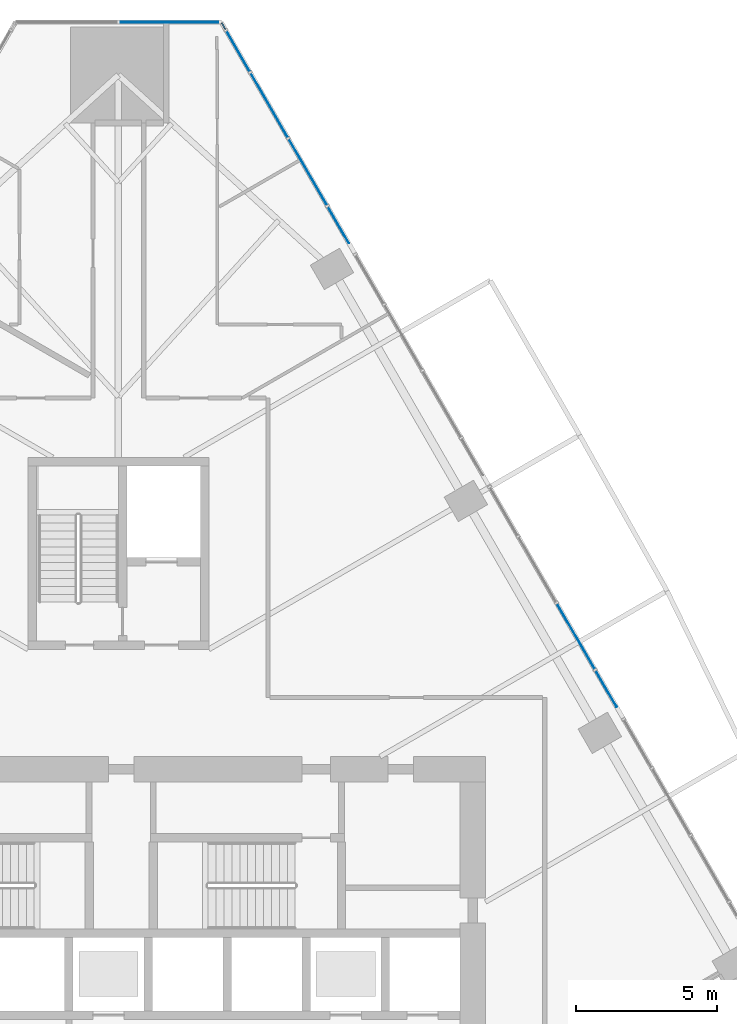
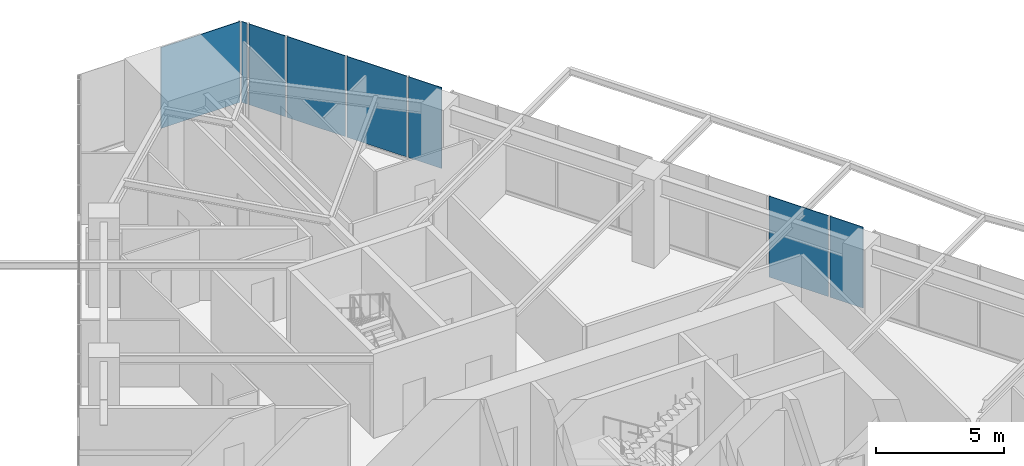
# One storey, part 18 of 26: 8 plates, 2 elements without a shape of their own.
"""IFC4 building model written with IfcOpenShell, lengths in metres."""

from ifc_helpers import new_model, si_unit, direction, frame, origin, place, context, subcontext, project, spatial, polyline, outline, extrude, material, layer, layer_set, type_object, element, aggregate, save


model = new_model("IFC4")

# Units and contexts
model_context = context("Model", 3, precision=1e-05, world=origin(), true_north=direction((0.0, 1.0)))
body_context = subcontext(model_context, "Body", "Model", "MODEL_VIEW")
ifc_project = project(units=[si_unit("LENGTHUNIT", "METRE"), si_unit("AREAUNIT", "SQUARE_METRE"), si_unit("VOLUMEUNIT", "CUBIC_METRE"), si_unit("PLANEANGLEUNIT", "RADIAN"), si_unit("MASSUNIT", "GRAM", prefix="KILO")], contexts=[model_context])

# Site, building, storey
site_placement = place(None, origin())
site = spatial("IfcSite", under=ifc_project, at=site_placement, CompositionType="ELEMENT")
building_placement = place(site_placement, origin())
building = spatial("IfcBuilding", under=site, at=building_placement, Name="Firuza Gate Tower and Library", CompositionType="ELEMENT")
storey_placement = place(building_placement, frame((0.0, 0.0, 77.800048828125)))
storey = spatial("IfcBuildingStorey", under=building, at=storey_placement, Name="L17", CompositionType="ELEMENT", Elevation=77.800048828125)

# Curtain wall, plate
ifc_material_1 = material(Name="Aluminium 6063-T6", Category="aluminium")
ifc_layer_1 = layer(ifc_material_1, 0.14990234375)
ifc_layer_set_1 = layer_set([ifc_layer_1], Name="Corner curtain wall, chamfers")
curtain_wall_type_1 = type_object("IfcCurtainWallType", Name="Corner curtain wall, chamfers", PredefinedType="NOTDEFINED", material=ifc_layer_set_1)
placement = place(storey_placement, origin())
curtain_wall_1 = element("IfcCurtainWall", 1, at=placement, inside=storey, type_object=curtain_wall_type_1, Name="CW4 L17 N corner", PredefinedType="NOTDEFINED")
ifc_material_2 = material(Name="Fritted glass", Category="glass")
ifc_layer_2 = layer(ifc_material_2, 0.030029296875)
ifc_layer_set_2 = layer_set([ifc_layer_2], Name="Fritted glass unit, corners")
plate_type_1 = type_object("IfcPlateType", Name="Fritted glass unit, corners", PredefinedType="CURTAIN_PANEL", material=ifc_layer_set_2)
plate_1_placement = place(storey_placement, frame((78.603271484375, 110.026611328125, 0.14990234375), z_axis=(0.0, 1.0, 0.0), x_axis=(-1.0, 0.0, 0.0)))
plate_1 = element("IfcPlate", 2, at=plate_1_placement, type_object=plate_type_1, Name="Glass unit", PredefinedType="CURTAIN_PANEL", context=body_context, shape_type="SweptSolid", body=[
    extrude(outline(polyline([(0.0, 0.0), (3.563232421875, 0.0), (3.563232421875, 3.85009765625), (0.0, 3.85009765625), (0.0, 0.0)])), origin(), (0.0, 0.0, -1.0), 0.030029296875),
])
aggregate(curtain_wall_1, [plate_1])

# Curtain wall, plates
ifc_material_3 = material(Name="Aluminium 6063-T6", Category="aluminium")
ifc_layer_3 = layer(ifc_material_3, 0.14990234375)
ifc_layer_set_3 = layer_set([ifc_layer_3], Name="Unitised curtain wall, offices")
curtain_wall_type_2 = type_object("IfcCurtainWallType", Name="Unitised curtain wall, offices", PredefinedType="NOTDEFINED", material=ifc_layer_set_3)
curtain_wall_2 = element("IfcCurtainWall", 3, at=placement, inside=storey, type_object=curtain_wall_type_2, Name="CW1 L17 E face", PredefinedType="NOTDEFINED")
ifc_material_4 = material(Name="Fritted glass", Category="glass")
ifc_layer_4 = layer(ifc_material_4, 0.030029296875)
ifc_layer_set_4 = layer_set([ifc_layer_4], Name="Fritted glass unit, offices")
plate_type_2 = type_object("IfcPlateType", Name="Fritted glass unit, offices", PredefinedType="CURTAIN_PANEL", material=ifc_layer_set_4)
plate_2_placement = place(storey_placement, frame((92.662353515625, 85.759765625, 0.14990234375), z_axis=(0.86603470313, 0.499983892715, 0.0), x_axis=(-0.499983892715, 0.86603470313, 0.0)))
plate_2 = element("IfcPlate", 4, at=plate_2_placement, type_object=plate_type_2, Name="Glass unit", PredefinedType="CURTAIN_PANEL", context=body_context, shape_type="SweptSolid", body=[
    extrude(outline(polyline([(0.0, 0.0), (1.4819813351427495, 0.0), (1.4819813351427495, 3.8500976562499996), (0.0, 3.8500976562499996), (0.0, 0.0)])), origin(), (0.0, 0.0, -1.0), 0.030029296875),
])
plate_3_placement = place(storey_placement, frame((83.177001953125, 102.188720703125, 0.14990234375), z_axis=(0.86603470313, 0.499983892715, 0.0), x_axis=(-0.499983892715, 0.86603470313, 0.0)))
plate_3 = element("IfcPlate", 5, at=plate_3_placement, type_object=plate_type_2, Name="Glass unit", PredefinedType="CURTAIN_PANEL", context=body_context, shape_type="SweptSolid", body=[
    extrude(outline(polyline([(0.0, 0.0), (1.4819813351427495, 0.0), (1.4819813351427495, 3.8500976562499996), (0.0, 3.8500976562499996), (0.0, 0.0)])), origin(), (0.0, 0.0, -1.0), 0.030029296875),
])
plate_4_placement = place(storey_placement, frame((79.66259765625, 108.276123046875, 0.14990234375), z_axis=(0.865982457891, 0.500074377092, 0.0), x_axis=(-0.500074377092, 0.865982457891, 0.0)))
plate_4 = element("IfcPlate", 6, at=plate_4_placement, type_object=plate_type_2, Name="Glass unit", PredefinedType="CURTAIN_PANEL", context=body_context, shape_type="SweptSolid", body=[
    extrude(outline(polyline([(0.0, 0.0), (1.6413574037178806, 0.0), (1.6413574037178806, 3.85009765625), (0.0, 3.85009765625), (0.0, 0.0)])), origin(), (0.0, 0.0, -1.0), 0.030029296875),
])
ifc_material_5 = material(Name="Glazed ceramic tile")
ifc_layer_5 = layer(ifc_material_5, 0.030029296875)
ifc_layer_set_5 = layer_set([ifc_layer_5], Name="Opaque ceramic panel, offices")
plate_type_3 = type_object("IfcPlateType", Name="Opaque ceramic panel, offices", PredefinedType="CURTAIN_PANEL", material=ifc_layer_set_5)
plate_5_placement = place(storey_placement, frame((91.88134765625, 87.112548828125, 0.14990234375), z_axis=(0.866026668906, 0.499997808738, 0.0), x_axis=(-0.499997808738, 0.866026668906, 0.0)))
plate_5 = element("IfcPlate", 7, at=plate_5_placement, type_object=plate_type_3, Name="Opaque ceramic panel", PredefinedType="CURTAIN_PANEL", context=body_context, shape_type="SweptSolid", body=[
    extrude(outline(polyline([(0.0, 0.0), (2.6606561916387736, 0.0), (2.6606561916387736, 3.85009765625), (0.0, 3.85009765625), (0.0, 0.0)])), origin(), (0.0, 0.0, -1.0), 0.030029296875),
])
plate_6_placement = place(storey_placement, frame((82.39599609375, 103.54150390625, 0.14990234375), z_axis=(0.866045013077, 0.499966034171, 0.0), x_axis=(-0.499966034171, 0.866045013077, 0.0)))
plate_6 = element("IfcPlate", 8, at=plate_6_placement, type_object=plate_type_3, Name="Opaque ceramic panel", PredefinedType="CURTAIN_PANEL", context=body_context, shape_type="SweptSolid", body=[
    extrude(outline(polyline([(0.0, 0.0), (2.689635836420977, 0.0), (2.689635836420977, 3.85009765625), (0.0, 3.85009765625), (0.0, 0.0)])), origin(), (0.0, 0.0, -1.0), 0.030029296875),
])
plate_7_placement = place(storey_placement, frame((81.01123046875, 105.940185546875, 0.14990234375), z_axis=(0.866013176292, 0.50002117804, 0.0), x_axis=(-0.50002117804, 0.866013176292, 0.0)))
plate_7 = element("IfcPlate", 9, at=plate_7_placement, type_object=plate_type_3, Name="Opaque ceramic panel", PredefinedType="CURTAIN_PANEL", context=body_context, shape_type="SweptSolid", body=[
    extrude(outline(polyline([(0.0, 0.0), (2.6175649114610273, 0.0), (2.6175649114610273, 3.85009765625), (0.0, 3.85009765625), (0.0, 0.0)])), origin(), (0.0, 0.0, -1.0), 0.030029296875),
])
plate_8_placement = place(storey_placement, frame((78.802001953125, 109.766845703125, 0.14990234375), z_axis=(0.865780878536, 0.500423291185, 0.0), x_axis=(-0.500423291185, 0.865780878536, 0.0)))
plate_8 = element("IfcPlate", 10, at=plate_8_placement, type_object=plate_type_3, Name="Opaque ceramic panel", PredefinedType="CURTAIN_PANEL", context=body_context, shape_type="SweptSolid", body=[
    extrude(outline(polyline([(0.0, 0.0), (0.2512521381192305, 0.0), (0.2512521381192305, 3.85009765625), (0.0, 3.85009765625), (0.0, 0.0)])), origin(), (0.0, 0.0, -1.0), 0.030029296875),
])
aggregate(curtain_wall_2, [plate_2, plate_5, plate_3, plate_6, plate_7, plate_4, plate_8])

save(model, "model.ifc")
